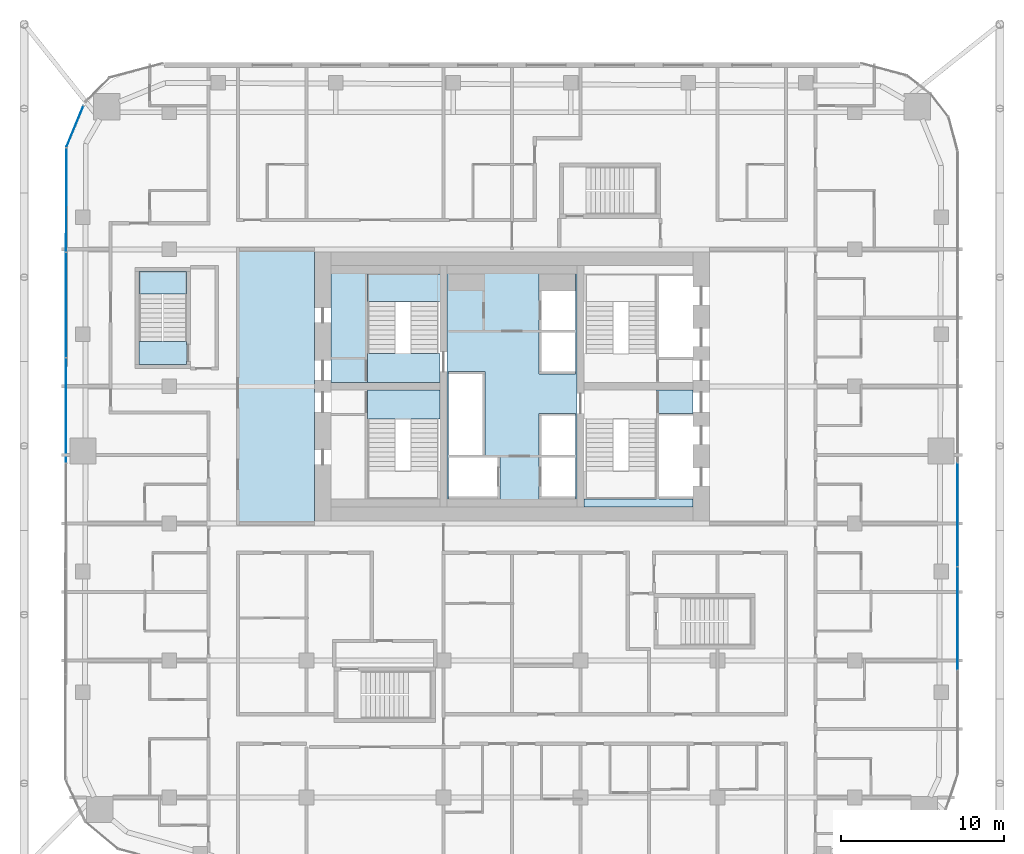
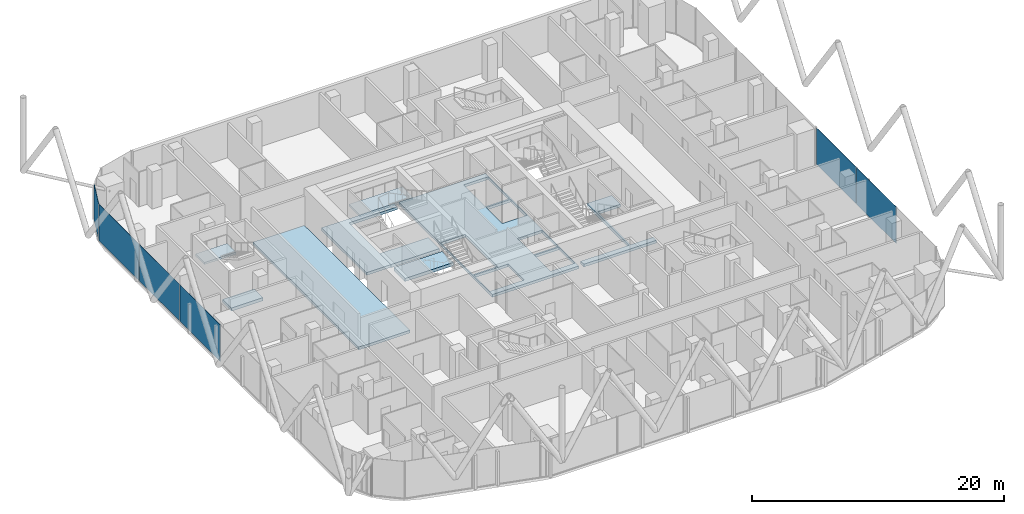
# One storey, part 21 of 33: 9 slabs, 6 plates, 5 elements without a shape of their own.
"""IFC4 building model written with IfcOpenShell, lengths in metres."""

from ifc_helpers import new_model, si_unit, direction, frame, origin, origin_2d, place, context, subcontext, project, spatial, polyline, rectangle, outline, extrude, material, layer, layer_set, type_object, element, aggregate, save


model = new_model("IFC4")

# Units and contexts
model_context = context("Model", 3, precision=1e-05, world=origin(), true_north=direction((0.0, 1.0)))
body_context = subcontext(model_context, "Body", "Model", "MODEL_VIEW")
ifc_project = project(units=[si_unit("LENGTHUNIT", "METRE"), si_unit("AREAUNIT", "SQUARE_METRE"), si_unit("VOLUMEUNIT", "CUBIC_METRE"), si_unit("PLANEANGLEUNIT", "RADIAN"), si_unit("MASSUNIT", "GRAM", prefix="KILO")], contexts=[model_context])

# Site, building, storey
site_placement = place(None, origin())
site = spatial("IfcSite", under=ifc_project, at=site_placement, CompositionType="ELEMENT")
building_placement = place(site_placement, origin())
building = spatial("IfcBuilding", under=site, at=building_placement, Name="Marenta Gate Hotel Tower", CompositionType="ELEMENT")
storey_placement = place(building_placement, frame((0.0, 0.0, 137.300048828125)))
storey = spatial("IfcBuildingStorey", under=building, at=storey_placement, Name="L31", CompositionType="ELEMENT", Elevation=137.300048828125)

# Slabs
ifc_material_1 = material(Name="Concrete C40", Category="concrete")
ifc_layer_1 = layer(ifc_material_1, 0.260009765625)
ifc_layer_set_1 = layer_set([ifc_layer_1], Name="Concrete C40")
slab_type_1 = type_object("IfcSlabType", Name="Core floor slab 260", PredefinedType="FLOOR", material=ifc_layer_set_1)
slab_1_placement = place(storey_placement, frame((0.0, 0.0, -0.260009765625)))
element("IfcSlab", 1, at=slab_1_placement, inside=storey, type_object=slab_type_1, Name="L31-CF-2", PredefinedType="FLOOR", context=body_context, shape_type="SweptSolid", body=[
    extrude(outline(polyline([(8.85009765625, 1.5), (8.85009765625, 6.39990234375), (8.85009765625, 8.10009765625), (8.85009765625, 8.175048828125), (11.10009765625, 8.175048828125), (11.10009765625, 6.75), (9.0, 6.75), (9.0, 6.60009765625), (9.0, 4.199951171875), (9.0, 4.050048828125), (9.0, 1.64990234375), (9.0, 1.5), (11.10009765625, 1.5), (11.10009765625, 1.0), (4.425048828125, 1.0), (4.425048828125, 1.5), (8.85009765625, 1.5)])), origin(), (0.0, 0.0, 1.0), 0.260009765625),
])
slab_2_placement = place(storey_placement, frame((0.0, 0.0, -0.260009765625)))
element("IfcSlab", 2, at=slab_2_placement, inside=storey, type_object=slab_type_1, Name="L31-CF-4", PredefinedType="FLOOR", context=body_context, shape_type="SweptSolid", body=[
    extrude(outline(polyline([(3.97509765625, 15.300048828125), (3.97509765625, 10.39990234375), (3.97509765625, 6.39990234375), (3.97509765625, 1.5), (3.97509765625, 1.0), (-3.97509765625, 1.0), (-3.97509765625, 1.5), (-3.97509765625, 6.39990234375), (-3.97509765625, 10.39990234375), (-3.97509765625, 15.300048828125), (-3.97509765625, 15.800048828125), (3.97509765625, 15.800048828125), (3.97509765625, 15.300048828125)]), holes=[polyline([(1.64990234375, 1.5), (3.89990234375, 1.5), (3.89990234375, 1.64990234375), (3.89990234375, 4.050048828125), (1.800048828125, 4.050048828125), (1.64990234375, 4.050048828125), (1.64990234375, 1.64990234375), (1.64990234375, 1.5)]), polyline([(1.64990234375, 6.60009765625), (1.64990234375, 4.199951171875), (1.800048828125, 4.199951171875), (3.89990234375, 4.199951171875), (3.89990234375, 6.60009765625), (3.89990234375, 6.75), (1.64990234375, 6.75), (1.64990234375, 6.60009765625)]), polyline([(1.64990234375, 9.14990234375), (3.89990234375, 9.14990234375), (3.89990234375, 9.300048828125), (3.89990234375, 11.699951171875), (1.800048828125, 11.699951171875), (1.64990234375, 11.699951171875), (1.64990234375, 9.300048828125), (1.64990234375, 9.14990234375)]), polyline([(1.64990234375, 15.300048828125), (1.64990234375, 14.25), (1.64990234375, 11.85009765625), (1.800048828125, 11.85009765625), (3.89990234375, 11.85009765625), (3.89990234375, 14.25), (3.89990234375, 15.300048828125), (1.64990234375, 15.300048828125)]), polyline([(-3.89990234375, 4.050048828125), (-3.89990234375, 1.64990234375), (-3.89990234375, 1.5), (-0.89990234375, 1.5), (-0.75, 1.5), (-0.75, 4.050048828125), (-0.89990234375, 4.050048828125), (-3.89990234375, 4.050048828125)]), polyline([(-1.800048828125, 4.199951171875), (-1.64990234375, 4.199951171875), (-1.64990234375, 9.14990234375), (-1.64990234375, 9.300048828125), (-3.89990234375, 9.300048828125), (-3.89990234375, 9.14990234375), (-3.89990234375, 6.75), (-3.89990234375, 6.60009765625), (-3.89990234375, 4.199951171875), (-1.800048828125, 4.199951171875)])]), origin(), (0.0, 0.0, 1.0), 0.260009765625),
])
slab_3_placement = place(storey_placement, frame((0.0, 0.0, -0.260009765625)))
element("IfcSlab", 3, at=slab_3_placement, inside=storey, type_object=slab_type_1, Name="L31-CF-6", PredefinedType="FLOOR", context=body_context, shape_type="SweptSolid", body=[
    extrude(outline(polyline([(-4.425048828125, 15.300048828125), (-8.85009765625, 15.300048828125), (-8.85009765625, 10.39990234375), (-8.85009765625, 8.699951171875), (-8.85009765625, 8.625), (-11.10009765625, 8.625), (-11.10009765625, 15.800048828125), (-4.425048828125, 15.800048828125), (-4.425048828125, 15.300048828125)])), origin(), (0.0, 0.0, 1.0), 0.260009765625),
])
slab_4_placement = place(storey_placement, frame((0.0, 0.0, -0.260009765625)))
element("IfcSlab", 4, at=slab_4_placement, inside=storey, type_object=slab_type_1, Name="L31-CF-7", PredefinedType="FLOOR", context=body_context, shape_type="SweptSolid", body=[
    extrude(outline(polyline([(-12.10009765625, 16.800048828125), (-12.10009765625, 0.0), (-16.800048828125, 0.0), (-16.800048828125, 16.800048828125), (-12.10009765625, 16.800048828125)])), origin(), (0.0, 0.0, 1.0), 0.260009765625),
])

# Stair, slab
ifc_material_2 = material(Name="Concrete C40", Category="concrete")
stair_type_1 = type_object("IfcStairType", Name="Core exit stair 1700 wide", PredefinedType="HALF_TURN_STAIR", material=ifc_material_2)
stair_1_placement = place(storey_placement, origin())
stair_1 = element("IfcStair", 5, at=stair_1_placement, inside=storey, type_object=stair_type_1, Name="Exit stair 2", PredefinedType="HALF_TURN_STAIR")
ifc_material_3 = material(Name="Concrete C40", Category="concrete")
ifc_layer_2 = layer(ifc_material_3, 0.199951171875)
ifc_layer_set_2 = layer_set([ifc_layer_2], Name="Concrete C40")
slab_type_2 = type_object("IfcSlabType", Name="Core stair landing 200", PredefinedType="LANDING", material=ifc_layer_set_2)
slab_5_placement = place(storey_placement, frame((0.0, 0.0, 1.599853515625)))
slab_5 = element("IfcSlab", 6, at=slab_5_placement, type_object=slab_type_2, Name="SL-200 ST2 landing 1", PredefinedType="LANDING", context=body_context, shape_type="SweptSolid", body=[
    extrude(outline(polyline([(-8.85009765625, 13.590087890625), (-3.97509765625, 13.590087890625), (-3.97509765625, 15.300048828125), (-8.85009765625, 15.300048828125), (-8.85009765625, 13.590087890625)])), origin(), (0.0, 0.0, 1.0), 0.2001953125),
])
aggregate(stair_1, [slab_5])

# Curtain wall, plate
ifc_material_4 = material(Name="Tinted insulated glass in bronze anodised frame", Category="glass")
ifc_layer_3 = layer(ifc_material_4, 0.1201171875)
ifc_layer_set_3 = layer_set([ifc_layer_3], Name="Tinted insulated glass in bronze anodised frame")
curtain_wall_type = type_object("IfcCurtainWallType", Name="Tower unitised curtain wall CW1", PredefinedType="NOTDEFINED", material=ifc_layer_set_3)
curtain_wall_1_placement = place(storey_placement, origin())
curtain_wall_1 = element("IfcCurtainWall", 7, at=curtain_wall_1_placement, inside=storey, type_object=curtain_wall_type, Name="CW1 run G03", PredefinedType="NOTDEFINED")
ifc_material_5 = material(Name="Tinted insulated glass", Category="glass")
ifc_layer_4 = layer(ifc_material_5, 0.028076171875)
ifc_layer_set_4 = layer_set([ifc_layer_4], Name="Tinted insulated glass")
plate_type = type_object("IfcPlateType", Name="Glass panel CW1 28 mm tinted insulated unit", PredefinedType="CURTAIN_PANEL", material=ifc_layer_set_4)
plate_1_placement = place(storey_placement, frame((-26.791015625, 24.324462890625, 0.059814453125), z_axis=(0.0, 0.0, 1.0), x_axis=(-0.382683829775, -0.923879367898, 0.0)))
plate_1 = element("IfcPlate", 8, at=plate_1_placement, type_object=plate_type, Name="CW1 panel 1.1", PredefinedType="CURTAIN_PANEL", context=body_context, shape_type="SweptSolid", body=[
    extrude(rectangle(XDim=2.72412109375, YDim=0.028076171875, at=origin_2d()), origin(), (0.0, 0.0, 1.0), 3.5400390625),
])
aggregate(curtain_wall_1, [plate_1])

# Curtain wall, plates
curtain_wall_2_placement = place(storey_placement, origin())
curtain_wall_2 = element("IfcCurtainWall", 9, at=curtain_wall_2_placement, inside=storey, type_object=curtain_wall_type, Name="CW1 run G04", PredefinedType="NOTDEFINED")
plate_2_placement = place(storey_placement, frame((-27.3173828125, 19.8212890625, 0.059814453125), z_axis=(0.0, 0.0, 1.0), x_axis=(-0.001566045546, -0.99999877375, 0.0)))
plate_2 = element("IfcPlate", 10, at=plate_2_placement, type_object=plate_type, Name="CW1 panel 1.1", PredefinedType="CURTAIN_PANEL", context=body_context, shape_type="SweptSolid", body=[
    extrude(rectangle(XDim=6.3701171875, YDim=0.028076171875, at=origin_2d()), origin(), (0.0, 0.0, 1.0), 3.5400390625),
])
plate_3_placement = place(storey_placement, frame((-27.327392578125, 13.376220703125, 0.059814453125), z_axis=(0.0, 0.0, 1.0), x_axis=(-0.001566045546, -0.99999877375, 0.0)))
plate_3 = element("IfcPlate", 11, at=plate_3_placement, type_object=plate_type, Name="CW1 panel 2.1", PredefinedType="CURTAIN_PANEL", context=body_context, shape_type="SweptSolid", body=[
    extrude(rectangle(XDim=6.39990234375, YDim=0.028076171875, at=origin_2d()), origin(), (0.0, 0.0, 1.0), 3.5400390625),
])
plate_4_placement = place(storey_placement, frame((-27.337646484375, 6.916259765625, 0.059814453125), z_axis=(0.0, 0.0, 1.0), x_axis=(-0.001566045546, -0.99999877375, 0.0)))
plate_4 = element("IfcPlate", 12, at=plate_4_placement, type_object=plate_type, Name="CW1 panel 3.1", PredefinedType="CURTAIN_PANEL", context=body_context, shape_type="SweptSolid", body=[
    extrude(rectangle(XDim=6.39990234375, YDim=0.028076171875, at=origin_2d()), origin(), (0.0, 0.0, 1.0), 3.5400390625),
])
aggregate(curtain_wall_2, [plate_2, plate_3, plate_4])

curtain_wall_3_placement = place(storey_placement, origin())
curtain_wall_3 = element("IfcCurtainWall", 13, at=curtain_wall_3_placement, inside=storey, type_object=curtain_wall_type, Name="CW1 run G19", PredefinedType="NOTDEFINED")
plate_5_placement = place(storey_placement, frame((27.31396484375, -5.828125, 0.059814453125), z_axis=(0.0, 0.0, 1.0), x_axis=(0.0, 1.0, 0.0)))
plate_5 = element("IfcPlate", 14, at=plate_5_placement, type_object=plate_type, Name="CW1 panel 2.1", PredefinedType="CURTAIN_PANEL", context=body_context, shape_type="SweptSolid", body=[
    extrude(rectangle(XDim=6.300048828125, YDim=0.028076171875, at=origin_2d()), origin(), (0.0, 0.0, 1.0), 3.5400390625),
])
plate_6_placement = place(storey_placement, frame((27.31396484375, 0.531982421875, 0.059814453125), z_axis=(0.0, 0.0, 1.0), x_axis=(0.0, 1.0, 0.0)))
plate_6 = element("IfcPlate", 15, at=plate_6_placement, type_object=plate_type, Name="CW1 panel 3.1", PredefinedType="CURTAIN_PANEL", context=body_context, shape_type="SweptSolid", body=[
    extrude(rectangle(XDim=6.300048828125, YDim=0.028076171875, at=origin_2d()), origin(), (0.0, 0.0, 1.0), 3.5400390625),
])
aggregate(curtain_wall_3, [plate_5, plate_6])

# Stair, slab
ifc_material_6 = material(Name="Concrete C40", Category="concrete")
stair_type_2 = type_object("IfcStairType", Name="Remote exit stair 1400 wide", PredefinedType="HALF_TURN_STAIR", material=ifc_material_6)
stair_2_placement = place(storey_placement, origin())
stair_2 = element("IfcStair", 16, at=stair_2_placement, inside=storey, type_object=stair_type_2, Name="Exit stair RS-Z1-3", PredefinedType="HALF_TURN_STAIR")
ifc_material_7 = material(Name="Concrete C40", Category="concrete")
ifc_layer_5 = layer(ifc_material_7, 0.199951171875)
ifc_layer_set_5 = layer_set([ifc_layer_5], Name="Concrete C40")
slab_type_3 = type_object("IfcSlabType", Name="Remote stair landing 200", PredefinedType="LANDING", material=ifc_layer_set_5)
slab_6_placement = place(storey_placement, frame((0.0, 0.0, 1.599853515625)))
slab_6 = element("IfcSlab", 17, at=slab_6_placement, type_object=slab_type_3, Name="RL-200 RS-Z1-3 landing 1", PredefinedType="LANDING", context=body_context, shape_type="SweptSolid", body=[
    extrude(outline(polyline([(-22.85009765625, 14.050048828125), (-19.949951171875, 14.050048828125), (-19.949951171875, 15.449951171875), (-22.85009765625, 15.449951171875), (-22.85009765625, 14.050048828125)])), origin(), (0.0, 0.0, 1.0), 0.2001953125),
])
aggregate(stair_2, [slab_6])

# Slabs
ifc_material_8 = material(Name="Concrete C40", Category="concrete")
ifc_layer_6 = layer(ifc_material_8, 0.300048828125)
ifc_layer_set_6 = layer_set([ifc_layer_6], Name="Concrete C40")
slab_type_4 = type_object("IfcSlabType", Name="Stair floor landing slab 300", PredefinedType="FLOOR", material=ifc_layer_set_6)
slab_7_placement = place(storey_placement, frame((0.0, 0.0, -0.300048828125)))
element("IfcSlab", 18, at=slab_7_placement, inside=storey, type_object=slab_type_4, Name="L31-CL-ST1-1", PredefinedType="FLOOR", context=body_context, shape_type="SweptSolid", body=[
    extrude(outline(polyline([(-4.425048828125, 6.39990234375), (-8.85009765625, 6.39990234375), (-8.85009765625, 8.10009765625), (-8.85009765625, 8.175048828125), (-4.425048828125, 8.175048828125), (-4.425048828125, 6.39990234375)])), origin(), (0.0, 0.0, 1.0), 0.300048828125),
])
slab_8_placement = place(storey_placement, frame((0.0, 0.0, -0.300048828125)))
element("IfcSlab", 19, at=slab_8_placement, inside=storey, type_object=slab_type_4, Name="L31-CL-ST2-1", PredefinedType="FLOOR", context=body_context, shape_type="SweptSolid", body=[
    extrude(outline(polyline([(-4.425048828125, 8.625), (-8.85009765625, 8.625), (-8.85009765625, 8.699951171875), (-8.85009765625, 10.39990234375), (-4.425048828125, 10.39990234375), (-4.425048828125, 8.625)])), origin(), (0.0, 0.0, 1.0), 0.300048828125),
])
slab_9_placement = place(storey_placement, frame((0.0, 0.0, -0.300048828125)))
element("IfcSlab", 20, at=slab_9_placement, inside=storey, type_object=slab_type_4, Name="L31-RS-Z1-3-CL", PredefinedType="FLOOR", context=body_context, shape_type="SweptSolid", body=[
    extrude(outline(polyline([(-19.949951171875, 9.75), (-19.949951171875, 11.14990234375), (-22.85009765625, 11.14990234375), (-22.85009765625, 9.75), (-19.949951171875, 9.75)])), origin(), (0.0, 0.0, 1.0), 0.300048828125),
])

save(model, "model.ifc")
